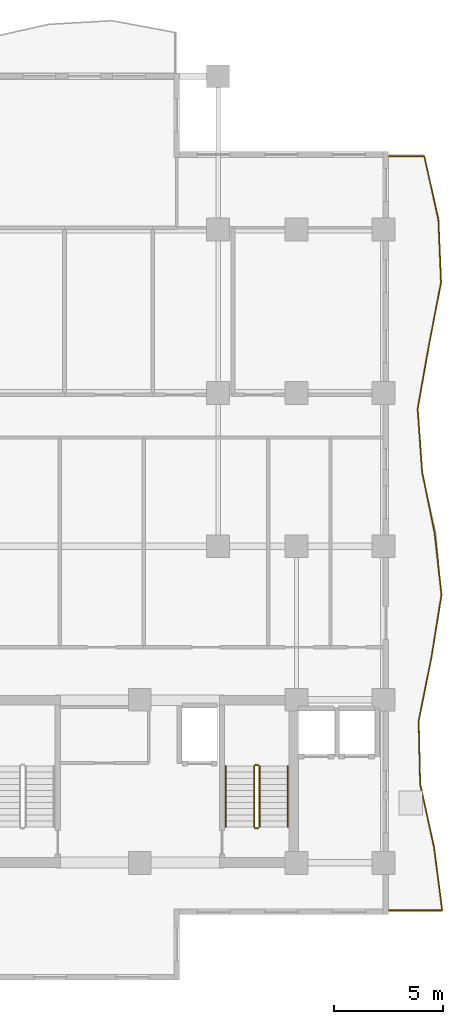
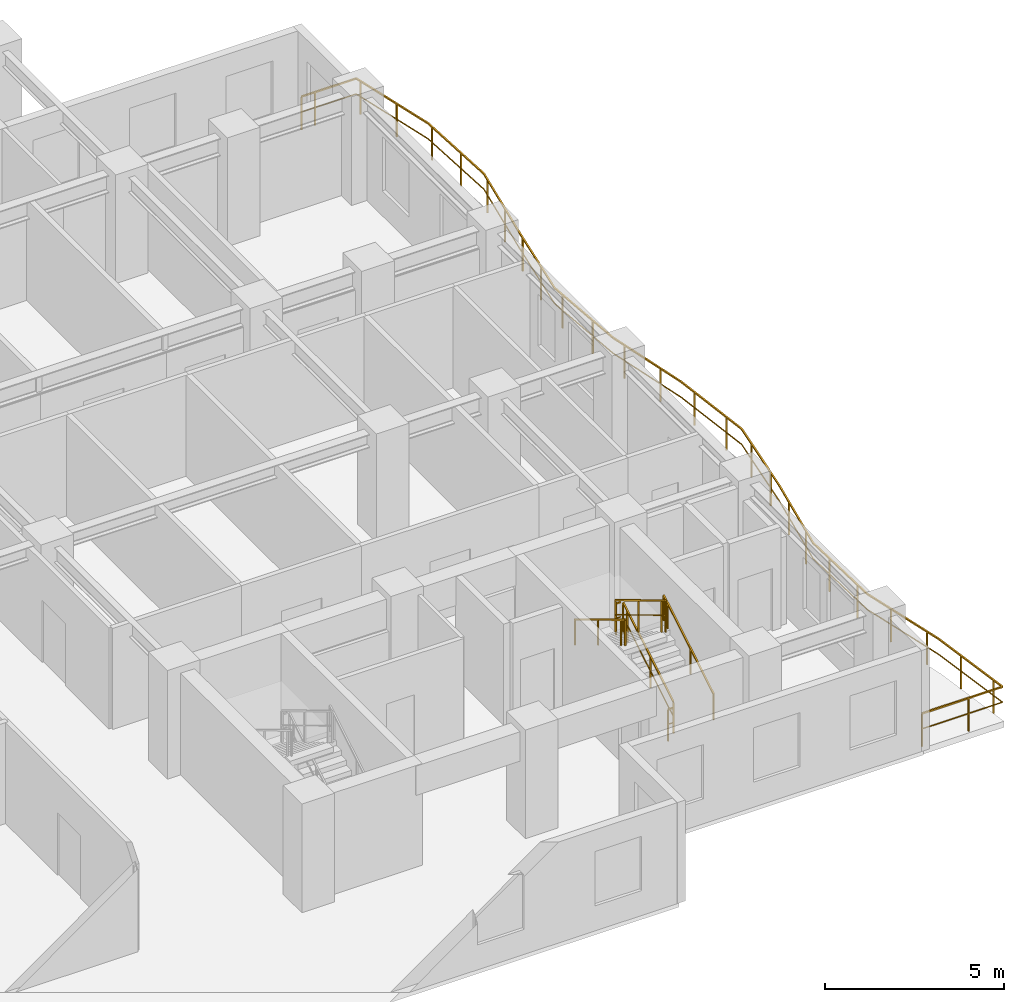
# One storey, part 17 of 18: 7 railings.
"""IFC4 building model written with IfcOpenShell, lengths in metres."""

from ifc_helpers import new_model, si_unit, direction, frame, origin, origin_2d, place, context, subcontext, project, spatial, rectangle, extrude, material, type_object, element, save


model = new_model("IFC4")

# Units and contexts
model_context = context("Model", 3, precision=1e-05, world=origin(), true_north=direction((0.0, 1.0)))
body_context = subcontext(model_context, "Body", "Model", "MODEL_VIEW")
ifc_project = project(units=[si_unit("LENGTHUNIT", "METRE"), si_unit("AREAUNIT", "SQUARE_METRE"), si_unit("VOLUMEUNIT", "CUBIC_METRE"), si_unit("PLANEANGLEUNIT", "RADIAN"), si_unit("MASSUNIT", "GRAM", prefix="KILO")], contexts=[model_context])

# Site, building, storey
site_placement = place(None, origin())
site = spatial("IfcSite", under=ifc_project, at=site_placement, CompositionType="ELEMENT")
building_placement = place(site_placement, origin())
building = spatial("IfcBuilding", under=site, at=building_placement, Name="Kaliganga Portal Commons", CompositionType="ELEMENT")
storey_placement = place(building_placement, frame((0.0, 0.0, 169.800048828125)))
storey = spatial("IfcBuildingStorey", under=building, at=storey_placement, Name="L43", CompositionType="ELEMENT", Elevation=169.800048828125)

# Railings
ifc_material_1 = material(Name="Laminated Safety Glass and Stainless Steel 316", Category="steel")
railing_type_1 = type_object("IfcRailingType", Name="RLG-BAL-1150", PredefinedType="BALUSTRADE", material=ifc_material_1)
railing_1_placement = place(storey_placement, frame((54.50830078125, 4.879638671875, 0.0)))
element("IfcRailing", 1, at=railing_1_placement, inside=storey, type_object=railing_type_1, Name="Balcony Guardrail L43 balc_east", PredefinedType="BALUSTRADE", context=body_context, shape_type="SweptSolid", body=[
    extrude(rectangle(XDim=0.048095703125, YDim=0.048095703125, at=origin_2d()), frame((0.0, 0.0, 1.1259765625), z_axis=(0.99999999555, 9.4339622e-05, 0.0), x_axis=(-9.4339622e-05, 0.99999999555, 0.0)), (0.0, 0.0, 1.0), 2.587890625),
    extrude(rectangle(XDim=0.028076171875, YDim=0.028076171875, at=origin_2d()), frame((0.0, 0.0, 0.597900390625), z_axis=(0.99999999555, 9.4339622e-05, 0.0), x_axis=(-9.4339622e-05, 0.99999999555, 0.0)), (0.0, 0.0, 1.0), 2.587890625),
    extrude(rectangle(XDim=0.048095703125, YDim=0.048095703125, at=origin_2d()), frame((2.587890625, 0.000244140625, 1.1259765625), z_axis=(-0.128400459118, 0.991722401733, 0.0), x_axis=(-0.991722401733, -0.128400459118, 0.0)), (0.0, 0.0, 1.0), 2.92431640625),
    extrude(rectangle(XDim=0.028076171875, YDim=0.028076171875, at=origin_2d()), frame((2.587890625, 0.000244140625, 0.597900390625), z_axis=(-0.128400459118, 0.991722401733, 0.0), x_axis=(-0.991722401733, -0.128400459118, 0.0)), (0.0, 0.0, 1.0), 2.92431640625),
    extrude(rectangle(XDim=0.048095703125, YDim=0.048095703125, at=origin_2d()), frame((2.21240234375, 2.900390625, 1.1259765625), z_axis=(-0.214143216207, 0.976802274236, 0.0), x_axis=(-0.976802274236, -0.214143216207, 0.0)), (0.0, 0.0, 1.0), 2.96875),
    extrude(rectangle(XDim=0.028076171875, YDim=0.028076171875, at=origin_2d()), frame((2.21240234375, 2.900390625, 0.597900390625), z_axis=(-0.214143216207, 0.976802274236, 0.0), x_axis=(-0.976802274236, -0.214143216207, 0.0)), (0.0, 0.0, 1.0), 2.96875),
    extrude(rectangle(XDim=0.048095703125, YDim=0.048095703125, at=origin_2d()), frame((1.57666015625, 5.80029296875, 1.1259765625), z_axis=(-0.023396237328, 0.999726270576, 0.0), x_axis=(-0.999726270576, -0.023396237328, 0.0)), (0.0, 0.0, 1.0), 2.90087890625),
    extrude(rectangle(XDim=0.028076171875, YDim=0.028076171875, at=origin_2d()), frame((1.57666015625, 5.80029296875, 0.597900390625), z_axis=(-0.023396237328, 0.999726270576, 0.0), x_axis=(-0.999726270576, -0.023396237328, 0.0)), (0.0, 0.0, 1.0), 2.90087890625),
    extrude(rectangle(XDim=0.048095703125, YDim=0.048095703125, at=origin_2d()), frame((1.5087890625, 8.700439453125, 1.1259765625), z_axis=(0.197576058239, 0.980287560469, 0.0), x_axis=(-0.980287560469, 0.197576058239, 0.0)), (0.0, 0.0, 1.0), 2.958251953125),
    extrude(rectangle(XDim=0.028076171875, YDim=0.028076171875, at=origin_2d()), frame((1.5087890625, 8.700439453125, 0.597900390625), z_axis=(0.197576058239, 0.980287560469, 0.0), x_axis=(-0.980287560469, 0.197576058239, 0.0)), (0.0, 0.0, 1.0), 2.958251953125),
    extrude(rectangle(XDim=0.048095703125, YDim=0.048095703125, at=origin_2d()), frame((2.09326171875, 11.600341796875, 1.1259765625), z_axis=(0.158337716626, 0.987385014821, 0.0), x_axis=(-0.987385014821, 0.158337716626, 0.0)), (0.0, 0.0, 1.0), 2.934326171875),
    extrude(rectangle(XDim=0.028076171875, YDim=0.028076171875, at=origin_2d()), frame((2.09326171875, 11.600341796875, 0.597900390625), z_axis=(0.158337716626, 0.987385014821, 0.0), x_axis=(-0.987385014821, 0.158337716626, 0.0)), (0.0, 0.0, 1.0), 2.934326171875),
    extrude(rectangle(XDim=0.048095703125, YDim=0.048095703125, at=origin_2d()), frame((2.557861328125, 14.49755859375, 1.1259765625), z_axis=(-0.110799459341, 0.993842784252, 0.0), x_axis=(-0.993842784252, -0.110799459341, 0.0)), (0.0, 0.0, 1.0), 2.84033203125),
    extrude(rectangle(XDim=0.028076171875, YDim=0.028076171875, at=origin_2d()), frame((2.557861328125, 14.49755859375, 0.597900390625), z_axis=(-0.110799459341, 0.993842784252, 0.0), x_axis=(-0.993842784252, -0.110799459341, 0.0)), (0.0, 0.0, 1.0), 2.84033203125),
    extrude(rectangle(XDim=0.048095703125, YDim=0.048095703125, at=origin_2d()), frame((2.2431640625, 17.3203125, 1.1259765625), z_axis=(-0.20033887783, 0.979726662917, 0.0), x_axis=(-0.979726662917, -0.20033887783, 0.0)), (0.0, 0.0, 1.0), 2.87841796875),
    extrude(rectangle(XDim=0.028076171875, YDim=0.028076171875, at=origin_2d()), frame((2.2431640625, 17.3203125, 0.597900390625), z_axis=(-0.20033887783, 0.979726662917, 0.0), x_axis=(-0.979726662917, -0.20033887783, 0.0)), (0.0, 0.0, 1.0), 2.87841796875),
    extrude(rectangle(XDim=0.048095703125, YDim=0.048095703125, at=origin_2d()), frame((1.66650390625, 20.140380859375, 1.1259765625), z_axis=(-0.069784836878, 0.997562066511, 0.0), x_axis=(-0.997562066511, -0.069784836878, 0.0)), (0.0, 0.0, 1.0), 2.9072265625),
    extrude(rectangle(XDim=0.028076171875, YDim=0.028076171875, at=origin_2d()), frame((1.66650390625, 20.140380859375, 0.597900390625), z_axis=(-0.069784836878, 0.997562066511, 0.0), x_axis=(-0.997562066511, -0.069784836878, 0.0)), (0.0, 0.0, 1.0), 2.9072265625),
    extrude(rectangle(XDim=0.048095703125, YDim=0.048095703125, at=origin_2d()), frame((1.463623046875, 23.04052734375, 1.1259765625), z_axis=(0.173695468157, 0.984799413252, 0.0), x_axis=(-0.984799413252, 0.173695468157, 0.0)), (0.0, 0.0, 1.0), 2.944580078125),
    extrude(rectangle(XDim=0.028076171875, YDim=0.028076171875, at=origin_2d()), frame((1.463623046875, 23.04052734375, 0.597900390625), z_axis=(0.173695468157, 0.984799413252, 0.0), x_axis=(-0.984799413252, 0.173695468157, 0.0)), (0.0, 0.0, 1.0), 2.944580078125),
    extrude(rectangle(XDim=0.048095703125, YDim=0.048095703125, at=origin_2d()), frame((1.97509765625, 25.9404296875, 1.1259765625), z_axis=(0.190088720268, 0.981766916547, 0.0), x_axis=(-0.981766916547, 0.190088720268, 0.0)), (0.0, 0.0, 1.0), 2.9541015625),
    extrude(rectangle(XDim=0.028076171875, YDim=0.028076171875, at=origin_2d()), frame((1.97509765625, 25.9404296875, 0.597900390625), z_axis=(0.190088720268, 0.981766916547, 0.0), x_axis=(-0.981766916547, 0.190088720268, 0.0)), (0.0, 0.0, 1.0), 2.9541015625),
    extrude(rectangle(XDim=0.048095703125, YDim=0.048095703125, at=origin_2d()), frame((2.53662109375, 28.840576171875, 1.1259765625), z_axis=(-0.0421413488, 0.999111658786, 0.0), x_axis=(-0.999111658786, -0.0421413488, 0.0)), (0.0, 0.0, 1.0), 2.902587890625),
    extrude(rectangle(XDim=0.028076171875, YDim=0.028076171875, at=origin_2d()), frame((2.53662109375, 28.840576171875, 0.597900390625), z_axis=(-0.0421413488, 0.999111658786, 0.0), x_axis=(-0.999111658786, -0.0421413488, 0.0)), (0.0, 0.0, 1.0), 2.902587890625),
    extrude(rectangle(XDim=0.048095703125, YDim=0.048095703125, at=origin_2d()), frame((2.414306640625, 31.740478515625, 1.1259765625), z_axis=(-0.217904744136, 0.975970041796, 0.0), x_axis=(-0.975970041796, -0.217904744136, 0.0)), (0.0, 0.0, 1.0), 2.97119140625),
    extrude(rectangle(XDim=0.028076171875, YDim=0.028076171875, at=origin_2d()), frame((2.414306640625, 31.740478515625, 0.597900390625), z_axis=(-0.217904744136, 0.975970041796, 0.0), x_axis=(-0.975970041796, -0.217904744136, 0.0)), (0.0, 0.0, 1.0), 2.97119140625),
    extrude(rectangle(XDim=0.048095703125, YDim=0.048095703125, at=origin_2d()), frame((1.766845703125, 34.640380859375, 1.1259765625), z_axis=(-0.999999961813, 0.000276357596, 0.0), x_axis=(-0.000276357596, -0.999999961813, 0.0)), (0.0, 0.0, 1.0), 1.766845703125),
    extrude(rectangle(XDim=0.028076171875, YDim=0.028076171875, at=origin_2d()), frame((1.766845703125, 34.640380859375, 0.597900390625), z_axis=(-0.999999961813, 0.000276357596, 0.0), x_axis=(-0.000276357596, -0.999999961813, 0.0)), (0.0, 0.0, 1.0), 1.766845703125),
    extrude(rectangle(XDim=0.0419921875, YDim=0.0419921875, at=origin_2d()), origin(), (0.0, 0.0, 1.0), 1.101806640625),
    extrude(rectangle(XDim=0.0419921875, YDim=0.0419921875, at=origin_2d()), frame((1.5, 0.000244140625, 0.0)), (0.0, 0.0, 1.0), 1.101806640625),
    extrude(rectangle(XDim=0.0419921875, YDim=0.0419921875, at=origin_2d()), frame((2.534912109375, 0.408935546875, 0.0)), (0.0, 0.0, 1.0), 1.101806640625),
    extrude(rectangle(XDim=0.0419921875, YDim=0.0419921875, at=origin_2d()), frame((2.34228515625, 1.896484375, 0.0)), (0.0, 0.0, 1.0), 1.101806640625),
    extrude(rectangle(XDim=0.0419921875, YDim=0.0419921875, at=origin_2d()), frame((2.10791015625, 3.376953125, 0.0)), (0.0, 0.0, 1.0), 1.101806640625),
    extrude(rectangle(XDim=0.0419921875, YDim=0.0419921875, at=origin_2d()), frame((1.78662109375, 4.842041015625, 0.0)), (0.0, 0.0, 1.0), 1.101806640625),
    extrude(rectangle(XDim=0.0419921875, YDim=0.0419921875, at=origin_2d()), frame((1.564453125, 6.319091796875, 0.0)), (0.0, 0.0, 1.0), 1.101806640625),
    extrude(rectangle(XDim=0.0419921875, YDim=0.0419921875, at=origin_2d()), frame((1.529541015625, 7.818603515625, 0.0)), (0.0, 0.0, 1.0), 1.101806640625),
    extrude(rectangle(XDim=0.0419921875, YDim=0.0419921875, at=origin_2d()), frame((1.630859375, 9.306396484375, 0.0)), (0.0, 0.0, 1.0), 1.101806640625),
    extrude(rectangle(XDim=0.0419921875, YDim=0.0419921875, at=origin_2d()), frame((1.92724609375, 10.776611328125, 0.0)), (0.0, 0.0, 1.0), 1.101806640625),
    extrude(rectangle(XDim=0.0419921875, YDim=0.0419921875, at=origin_2d()), frame((2.19775390625, 12.251953125, 0.0)), (0.0, 0.0, 1.0), 1.101806640625),
    extrude(rectangle(XDim=0.0419921875, YDim=0.0419921875, at=origin_2d()), frame((2.435302734375, 13.73291015625, 0.0)), (0.0, 0.0, 1.0), 1.101806640625),
    extrude(rectangle(XDim=0.0419921875, YDim=0.0419921875, at=origin_2d()), frame((2.4775390625, 15.21875, 0.0)), (0.0, 0.0, 1.0), 1.101806640625),
    extrude(rectangle(XDim=0.0419921875, YDim=0.0419921875, at=origin_2d()), frame((2.311279296875, 16.70947265625, 0.0)), (0.0, 0.0, 1.0), 1.101806640625),
    extrude(rectangle(XDim=0.0419921875, YDim=0.0419921875, at=origin_2d()), frame((2.065673828125, 18.187744140625, 0.0)), (0.0, 0.0, 1.0), 1.101806640625),
    extrude(rectangle(XDim=0.0419921875, YDim=0.0419921875, at=origin_2d()), frame((1.765380859375, 19.6572265625, 0.0)), (0.0, 0.0, 1.0), 1.101806640625),
    extrude(rectangle(XDim=0.0419921875, YDim=0.0419921875, at=origin_2d()), frame((1.59619140625, 21.144775390625, 0.0)), (0.0, 0.0, 1.0), 1.101806640625),
    extrude(rectangle(XDim=0.0419921875, YDim=0.0419921875, at=origin_2d()), frame((1.491455078125, 22.64111328125, 0.0)), (0.0, 0.0, 1.0), 1.101806640625),
    extrude(rectangle(XDim=0.0419921875, YDim=0.0419921875, at=origin_2d()), frame((1.654541015625, 24.12353515625, 0.0)), (0.0, 0.0, 1.0), 1.101806640625),
    extrude(rectangle(XDim=0.0419921875, YDim=0.0419921875, at=origin_2d()), frame((1.915283203125, 25.6005859375, 0.0)), (0.0, 0.0, 1.0), 1.101806640625),
    extrude(rectangle(XDim=0.0419921875, YDim=0.0419921875, at=origin_2d()), frame((2.194580078125, 27.074462890625, 0.0)), (0.0, 0.0, 1.0), 1.101806640625),
    extrude(rectangle(XDim=0.0419921875, YDim=0.0419921875, at=origin_2d()), frame((2.479736328125, 28.547119140625, 0.0)), (0.0, 0.0, 1.0), 1.101806640625),
    extrude(rectangle(XDim=0.0419921875, YDim=0.0419921875, at=origin_2d()), frame((2.486083984375, 30.04052734375, 0.0)), (0.0, 0.0, 1.0), 1.101806640625),
    extrude(rectangle(XDim=0.0419921875, YDim=0.0419921875, at=origin_2d()), frame((2.4228515625, 31.539306640625, 0.0)), (0.0, 0.0, 1.0), 1.101806640625),
    extrude(rectangle(XDim=0.0419921875, YDim=0.0419921875, at=origin_2d()), frame((2.13134765625, 33.0078125, 0.0)), (0.0, 0.0, 1.0), 1.101806640625),
    extrude(rectangle(XDim=0.0419921875, YDim=0.0419921875, at=origin_2d()), frame((1.804443359375, 34.4716796875, 0.0)), (0.0, 0.0, 1.0), 1.101806640625),
    extrude(rectangle(XDim=0.0419921875, YDim=0.0419921875, at=origin_2d()), frame((0.439697265625, 34.640869140625, 0.0)), (0.0, 0.0, 1.0), 1.101806640625),
    extrude(rectangle(XDim=0.0419921875, YDim=0.0419921875, at=origin_2d()), frame((0.0, 34.640869140625, 0.0)), (0.0, 0.0, 1.0), 1.101806640625),
])
ifc_material_2 = material(Name="Galvanized Painted Steel Balustrade", Category="steel")
railing_type_2 = type_object("IfcRailingType", Name="RLG-STAIR-GRD", PredefinedType="GUARDRAIL", material=ifc_material_2)
railing_2_placement = place(storey_placement, frame((48.699951171875, 8.699951171875, 0.168212890625)))
element("IfcRailing", 2, at=railing_2_placement, inside=storey, type_object=railing_type_2, Name="L43 ST-B2 stair guard 1", PredefinedType="GUARDRAIL", context=body_context, shape_type="SweptSolid", body=[
    extrude(rectangle(XDim=0.048095703125, YDim=0.048095703125, at=origin_2d()), frame((0.0, 0.0, 1.072021484375), z_axis=(0.0, 0.857275202839, 0.514858452973), x_axis=(-1.0, 0.0, 0.0)), (0.0, 0.0, 1.0), 3.26611328125),
    extrude(rectangle(XDim=0.028076171875, YDim=0.028076171875, at=origin_2d()), frame((0.0, 0.0, 0.572021484375), z_axis=(0.0, 0.857275202839, 0.514858452973), x_axis=(-1.0, 0.0, 0.0)), (0.0, 0.0, 1.0), 3.26611328125),
    extrude(rectangle(XDim=0.0419921875, YDim=0.0419921875, at=origin_2d()), origin(), (0.0, 0.0, 1.0), 1.052001953125),
    extrude(rectangle(XDim=0.0419921875, YDim=0.0419921875, at=origin_2d()), frame((0.0, 1.285888671875, 0.772216796875)), (0.0, 0.0, 1.0), 1.052001953125),
    extrude(rectangle(XDim=0.0419921875, YDim=0.0419921875, at=origin_2d()), frame((0.0, 2.57177734375, 1.544677734375)), (0.0, 0.0, 1.0), 1.052001953125),
    extrude(rectangle(XDim=0.0419921875, YDim=0.0419921875, at=origin_2d()), frame((0.0, 2.800048828125, 1.681640625)), (0.0, 0.0, 1.0), 1.052001953125),
])
railing_3_placement = place(storey_placement, frame((48.64990234375, 11.550048828125, 1.849853515625)))
element("IfcRailing", 3, at=railing_3_placement, inside=storey, type_object=railing_type_2, Name="L43 ST-B2 stair guard 2", PredefinedType="GUARDRAIL", context=body_context, shape_type="SweptSolid", body=[
    extrude(rectangle(XDim=0.048095703125, YDim=0.048095703125, at=origin_2d()), frame((0.0, 0.0, 1.076171875), z_axis=(-1.0, 0.0, 0.0), x_axis=(0.0, -1.0, 0.0)), (0.0, 0.0, 1.0), 0.14990234375),
    extrude(rectangle(XDim=0.028076171875, YDim=0.028076171875, at=origin_2d()), frame((0.0, 0.0, 0.572021484375), z_axis=(-1.0, 0.0, 0.0), x_axis=(0.0, -1.0, 0.0)), (0.0, 0.0, 1.0), 0.14990234375),
    extrude(rectangle(XDim=0.0419921875, YDim=0.0419921875, at=origin_2d()), frame((-0.14990234375, 0.0, 0.0)), (0.0, 0.0, 1.0), 1.052001953125),
])
railing_4_placement = place(storey_placement, frame((48.449951171875, 11.5, 2.01806640625)))
element("IfcRailing", 4, at=railing_4_placement, inside=storey, type_object=railing_type_2, Name="L43 ST-B2 stair guard 3", PredefinedType="GUARDRAIL", context=body_context, shape_type="SweptSolid", body=[
    extrude(rectangle(XDim=0.048095703125, YDim=0.048095703125, at=origin_2d()), frame((0.0, 0.0, 1.072021484375), z_axis=(0.0, -0.857242210791, 0.514913383045), x_axis=(1.0, 0.0, 0.0)), (0.0, 0.0, 1.0), 3.266357421875),
    extrude(rectangle(XDim=0.028076171875, YDim=0.028076171875, at=origin_2d()), frame((0.0, 0.0, 0.572021484375), z_axis=(0.0, -0.857242210791, 0.514913383045), x_axis=(1.0, 0.0, 0.0)), (0.0, 0.0, 1.0), 3.266357421875),
    extrude(rectangle(XDim=0.0419921875, YDim=0.0419921875, at=origin_2d()), origin(), (0.0, 0.0, 1.0), 1.052001953125),
    extrude(rectangle(XDim=0.0419921875, YDim=0.0419921875, at=origin_2d()), frame((0.0, -1.285888671875, 0.7724609375)), (0.0, 0.0, 1.0), 1.052001953125),
    extrude(rectangle(XDim=0.0419921875, YDim=0.0419921875, at=origin_2d()), frame((0.0, -2.57177734375, 1.544677734375)), (0.0, 0.0, 1.0), 1.052001953125),
    extrude(rectangle(XDim=0.0419921875, YDim=0.0419921875, at=origin_2d()), frame((0.0, -2.800048828125, 1.681884765625)), (0.0, 0.0, 1.0), 1.052001953125),
])
railing_5_placement = place(storey_placement, frame((48.64990234375, 8.64990234375, 0.0)))
element("IfcRailing", 5, at=railing_5_placement, inside=storey, type_object=railing_type_2, Name="L43 ST-B2 stair guard 4", PredefinedType="GUARDRAIL", context=body_context, shape_type="SweptSolid", body=[
    extrude(rectangle(XDim=0.048095703125, YDim=0.048095703125, at=origin_2d()), frame((0.0, 0.0, 1.076171875), z_axis=(-1.0, 0.0, 0.0), x_axis=(0.0, -1.0, 0.0)), (0.0, 0.0, 1.0), 0.14990234375),
    extrude(rectangle(XDim=0.028076171875, YDim=0.028076171875, at=origin_2d()), frame((0.0, 0.0, 0.572021484375), z_axis=(-1.0, 0.0, 0.0), x_axis=(0.0, -1.0, 0.0)), (0.0, 0.0, 1.0), 0.14990234375),
    extrude(rectangle(XDim=0.0419921875, YDim=0.0419921875, at=origin_2d()), frame((-0.14990234375, 0.0, 0.0)), (0.0, 0.0, 1.0), 1.052001953125),
])
ifc_material_3 = material(Name="Brushed Stainless Steel 316", Category="steel")
railing_type_3 = type_object("IfcRailingType", Name="RLG-STAIR-HR", PredefinedType="HANDRAIL", material=ifc_material_3)
railing_6_placement = place(storey_placement, frame((50.0, 8.699951171875, 0.168212890625)))
element("IfcRailing", 6, at=railing_6_placement, inside=storey, type_object=railing_type_3, Name="L43 ST-B2 stair handrail 1", PredefinedType="HANDRAIL", context=body_context, shape_type="SweptSolid", body=[
    extrude(rectangle(XDim=0.048095703125, YDim=0.048095703125, at=origin_2d()), frame((0.0, 0.0, 0.871826171875), z_axis=(0.0, 0.857275202839, 0.514858452973), x_axis=(-1.0, 0.0, 0.0)), (0.0, 0.0, 1.0), 3.26611328125),
    extrude(rectangle(XDim=0.0419921875, YDim=0.0419921875, at=origin_2d()), origin(), (0.0, 0.0, 1.0), 0.851806640625),
    extrude(rectangle(XDim=0.0419921875, YDim=0.0419921875, at=origin_2d()), frame((0.0, 1.285888671875, 0.772216796875)), (0.0, 0.0, 1.0), 0.851806640625),
    extrude(rectangle(XDim=0.0419921875, YDim=0.0419921875, at=origin_2d()), frame((0.0, 2.57177734375, 1.544677734375)), (0.0, 0.0, 1.0), 0.851806640625),
    extrude(rectangle(XDim=0.0419921875, YDim=0.0419921875, at=origin_2d()), frame((0.0, 2.800048828125, 1.681640625)), (0.0, 0.0, 1.0), 0.851806640625),
])
railing_7_placement = place(storey_placement, frame((47.14990234375, 11.5, 2.01806640625)))
element("IfcRailing", 7, at=railing_7_placement, inside=storey, type_object=railing_type_3, Name="L43 ST-B2 stair handrail 2", PredefinedType="HANDRAIL", context=body_context, shape_type="SweptSolid", body=[
    extrude(rectangle(XDim=0.048095703125, YDim=0.048095703125, at=origin_2d()), frame((0.0, 0.0, 0.871826171875), z_axis=(0.0, -0.857242210791, 0.514913383045), x_axis=(1.0, 0.0, 0.0)), (0.0, 0.0, 1.0), 3.266357421875),
    extrude(rectangle(XDim=0.0419921875, YDim=0.0419921875, at=origin_2d()), origin(), (0.0, 0.0, 1.0), 0.851806640625),
    extrude(rectangle(XDim=0.0419921875, YDim=0.0419921875, at=origin_2d()), frame((0.0, -1.285888671875, 0.7724609375)), (0.0, 0.0, 1.0), 0.851806640625),
    extrude(rectangle(XDim=0.0419921875, YDim=0.0419921875, at=origin_2d()), frame((0.0, -2.57177734375, 1.544677734375)), (0.0, 0.0, 1.0), 0.851806640625),
    extrude(rectangle(XDim=0.0419921875, YDim=0.0419921875, at=origin_2d()), frame((0.0, -2.800048828125, 1.681884765625)), (0.0, 0.0, 1.0), 0.851806640625),
])

save(model, "model.ifc")
